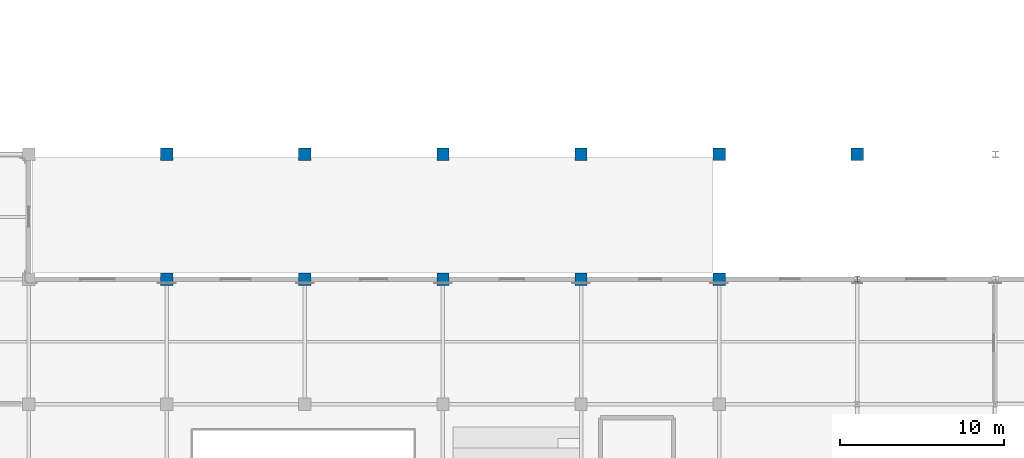
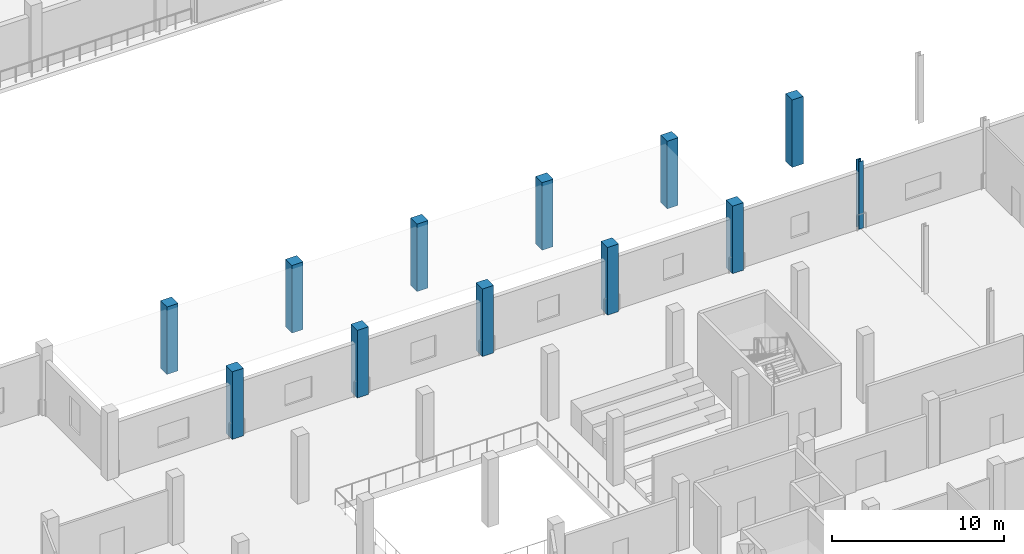
# One storey, part 5 of 51: 12 columns.
"""IFC4 building model written with IfcOpenShell, lengths in metres."""

from ifc_helpers import new_model, si_unit, direction, frame, origin, origin_2d, place, context, subcontext, project, spatial, rectangle, i_section, extrude, material, material_profile, profile_set, type_object, element, save


model = new_model("IFC4")

# Units and contexts
model_context = context("Model", 3, precision=1e-05, world=origin(), true_north=direction((0.0, 1.0)))
body_context = subcontext(model_context, "Body", "Model", "MODEL_VIEW")
ifc_project = project(units=[si_unit("LENGTHUNIT", "METRE"), si_unit("AREAUNIT", "SQUARE_METRE"), si_unit("VOLUMEUNIT", "CUBIC_METRE"), si_unit("PLANEANGLEUNIT", "RADIAN"), si_unit("MASSUNIT", "GRAM", prefix="KILO")], contexts=[model_context])

# Site, building, storey
site_placement = place(None, origin())
site = spatial("IfcSite", under=ifc_project, at=site_placement, CompositionType="ELEMENT")
building_placement = place(site_placement, origin())
building = spatial("IfcBuilding", under=site, at=building_placement, Name="Zuvorla Pavilion Media Centre", CompositionType="ELEMENT")
storey_placement = place(building_placement, frame((0.0, 0.0, 4.800048828125)))
storey = spatial("IfcBuildingStorey", under=building, at=storey_placement, Name="L01", CompositionType="ELEMENT", Elevation=4.800048828125)

# Columns
ifc_material_1 = material(Name="Concrete C40/50", Category="concrete")
ifc_material_profile_1 = material_profile(ifc_material_1, rectangle(XDim=0.75, YDim=0.75, at=origin_2d()), Name="RC 750x750")
ifc_profile_set_1 = profile_set([ifc_material_profile_1], Name="Concrete C40/50")
column_type_1 = type_object("IfcColumnType", Name="COL-RC750", PredefinedType="COLUMN", material=ifc_profile_set_1)
for number, where, z_axis, x_axis, name in (
    (1, (75.199951171875, 44.0, 0.0), (0.0, 0.0, 1.0), (1.0, 0.0, 0.0), "L01 column C02 515"),
    (2, (83.60009765625, 44.0, 0.0), (0.0, 0.0, 1.0), (1.0, 0.0, 0.0), "L01 column C02 521"),
    (3, (92.0, 44.0, 0.0), (0.0, 0.0, 1.0), (1.0, 0.0, 0.0), "L01 column C02 527"),
    (4, (100.39990234375, 44.0, 0.0), (0.0, 0.0, 1.0), (1.0, 0.0, 0.0), "L01 column C02 533"),
    (5, (108.800048828125, 44.0, 0.0), (0.0, 0.0, 1.0), (1.0, 0.0, 0.0), "L01 column C02 539"),
    (6, (75.199951171875, 51.60009765625, 0.0), (0.0, 0.0, 1.0), (1.0, 0.0, 0.0), "L01 column C02 610"),
    (7, (83.60009765625, 51.60009765625, 0.0), (0.0, 0.0, 1.0), (1.0, 0.0, 0.0), "L01 column C02 615"),
    (8, (92.0, 51.60009765625, 0.0), (0.0, 0.0, 1.0), (1.0, 0.0, 0.0), "L01 column C02 620"),
    (9, (100.39990234375, 51.60009765625, 0.0), (0.0, 0.0, 1.0), (1.0, 0.0, 0.0), "L01 column C02 625"),
    (10, (108.800048828125, 51.60009765625, 0.0), (0.0, 0.0, 1.0), (1.0, 0.0, 0.0), "L01 column C02 630"),
    (11, (117.199951171875, 51.60009765625, 0.0), (0.0, 0.0, 1.0), (1.0, 0.0, 0.0), "L01 column C02 635"),
):
    element("IfcColumn", number, at=place(storey_placement, frame(where, z_axis=z_axis, x_axis=x_axis)), inside=storey, type_object=column_type_1, Name=name, PredefinedType="COLUMN", context=body_context, shape_type="SweptSolid", body=[
        extrude(rectangle(XDim=0.75, YDim=0.75, at=origin_2d()), origin(), (0.0, 0.0, 1.0), 4.800048828125),
    ])
ifc_material_2 = material(Name="Steel S355", Category="steel")
ifc_material_profile_2 = material_profile(ifc_material_2, i_section(OverallWidth=0.30908203125, OverallDepth=0.320556640625, WebThickness=0.013916015625, FlangeThickness=0.021728515625, FilletRadius=0.01513671875, at=origin_2d()), Name="UC 305x305x137")
ifc_profile_set_2 = profile_set([ifc_material_profile_2], Name="Steel S355")
column_type_2 = type_object("IfcColumnType", Name="COL-UC305", PredefinedType="COLUMN", material=ifc_profile_set_2)
column_placement = place(storey_placement, frame((117.199951171875, 44.0, 0.0), z_axis=(0.0, 0.0, 1.0), x_axis=(1.0, 0.0, 0.0)))
element("IfcColumn", 12, at=column_placement, inside=storey, type_object=column_type_2, Name="L01 column C10 545", PredefinedType="COLUMN", context=body_context, shape_type="SweptSolid", body=[
    extrude(i_section(OverallWidth=0.30908203125, OverallDepth=0.320556640625, WebThickness=0.013916015625, FlangeThickness=0.021728515625, FilletRadius=0.01513671875, at=origin_2d()), origin(), (0.0, 0.0, 1.0), 4.800048828125),
])

save(model, "model.ifc")
